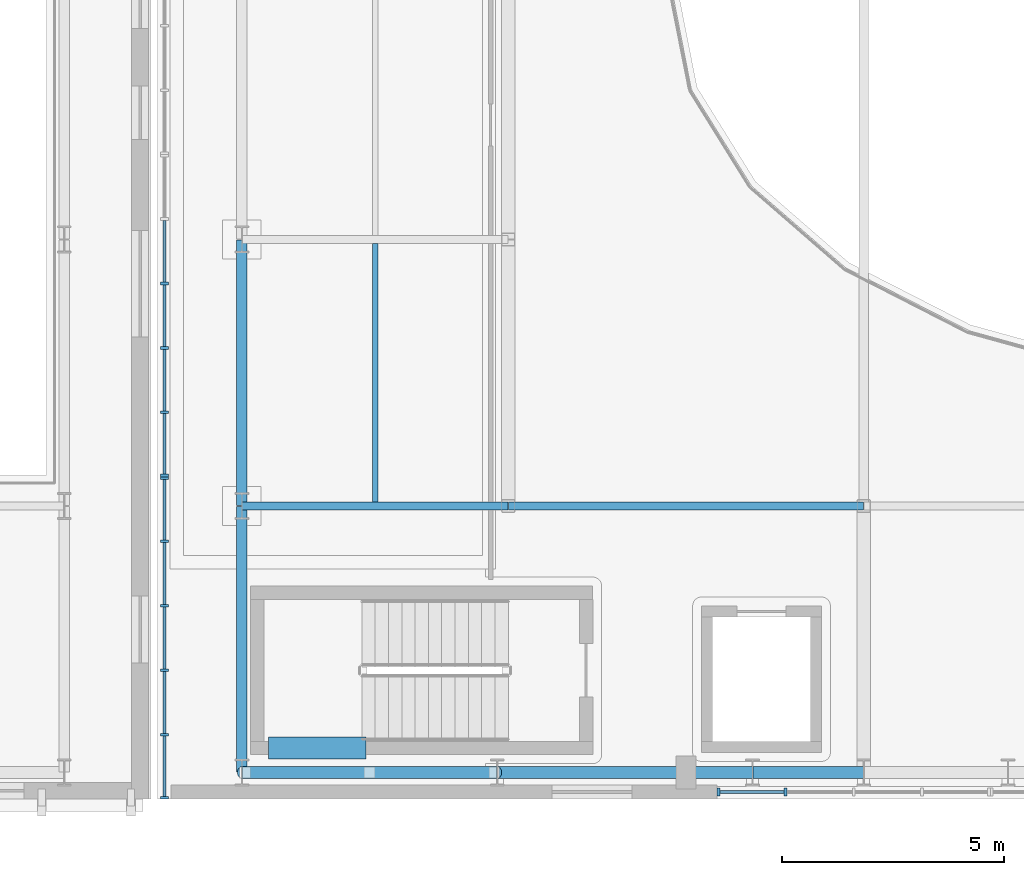
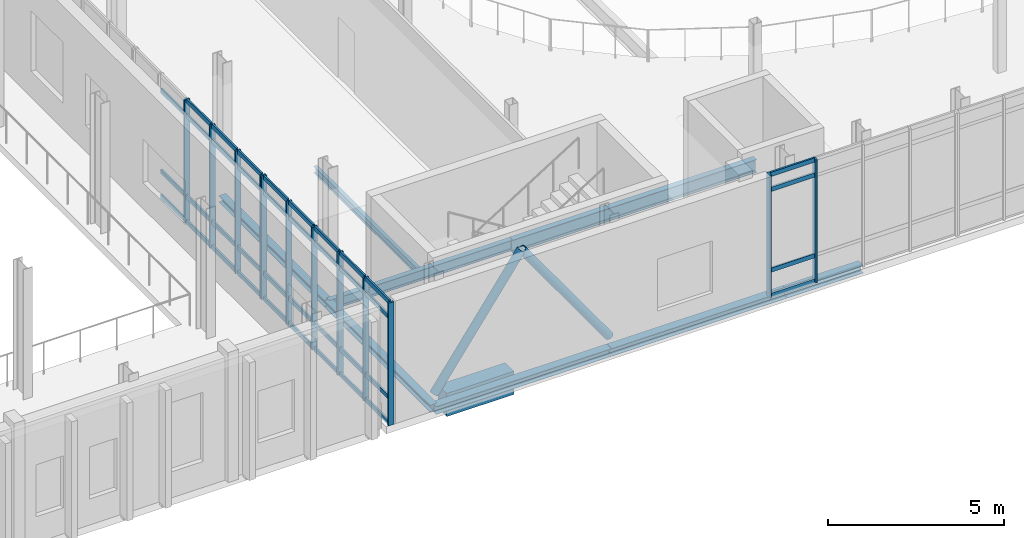
# One storey, part 15 of 100: 53 members, 9 beams, 3 elements without a shape of their own.
"""IFC4 building model written with IfcOpenShell, lengths in metres."""

from ifc_helpers import new_model, si_unit, direction, frame, origin, origin_2d, place, context, subcontext, project, spatial, rectangle, hollow_circle, i_section, extrude, material, material_profile, profile_set, type_object, element, aggregate, save


model = new_model("IFC4")

# Units and contexts
model_context = context("Model", 3, precision=1e-05, world=origin(), true_north=direction((0.0, 1.0)))
body_context = subcontext(model_context, "Body", "Model", "MODEL_VIEW")
ifc_project = project(units=[si_unit("LENGTHUNIT", "METRE"), si_unit("AREAUNIT", "SQUARE_METRE"), si_unit("VOLUMEUNIT", "CUBIC_METRE"), si_unit("PLANEANGLEUNIT", "RADIAN"), si_unit("MASSUNIT", "GRAM", prefix="KILO")], contexts=[model_context])

# Site, building, storey
site_placement = place(None, origin())
site = spatial("IfcSite", under=ifc_project, at=site_placement, CompositionType="ELEMENT")
building_placement = place(site_placement, origin())
building = spatial("IfcBuilding", under=site, at=building_placement, Name="Cymarion Research Institute", CompositionType="ELEMENT")
storey_placement = place(building_placement, frame((0.0, 0.0, 4.800048828125)))
storey = spatial("IfcBuildingStorey", under=building, at=storey_placement, Name="L01", CompositionType="ELEMENT", Elevation=4.800048828125)

# Beam
ifc_material_1 = material(Name="Concrete C40/50", Category="concrete")
ifc_material_profile_1 = material_profile(ifc_material_1, rectangle(XDim=0.5, YDim=0.800048828125, at=origin_2d()), Name="RC 500x800")
ifc_profile_set_1 = profile_set([ifc_material_profile_1], Name="Concrete C40/50")
beam_type_1 = type_object("IfcBeamType", Name="COUPLING LINTEL LN03 RC 500x800", PredefinedType="LINTEL", material=ifc_profile_set_1)
beam_1_placement = place(storey_placement, frame((57.199951171875, 6.050048828125, -0.670166015625), z_axis=(1.0, 0.0, 0.0), x_axis=(0.0, 1.0, 0.0)))
element("IfcBeam", 1, at=beam_1_placement, inside=storey, type_object=beam_type_1, Name="L01 C3 core coupling lintel LN03", PredefinedType="LINTEL", context=body_context, shape_type="SweptSolid", body=[
    extrude(rectangle(XDim=0.5, YDim=0.800048828125, at=origin_2d()), origin(), (0.0, 0.0, 1.0), 2.199951171875),
])

# Curtain wall, members
ifc_material_2 = material(Name="Anodised aluminium unitised curtain wall with Low-E glazing", Category="aluminium")
curtain_wall_type_1 = type_object("IfcCurtainWallType", Name="UNITISED CURTAIN WALL CW07 6150X4250", PredefinedType="NOTDEFINED", material=ifc_material_2)
curtain_wall_1_placement = place(storey_placement, origin())
curtain_wall_1 = element("IfcCurtainWall", 2, at=curtain_wall_1_placement, inside=storey, type_object=curtain_wall_type_1, Name="L01 V2 unitised curtain wall CW07 #13", PredefinedType="NOTDEFINED")
ifc_material_3 = material(Name="Anodised aluminium framing", Category="aluminium")
ifc_material_profile_2 = material_profile(ifc_material_3, rectangle(XDim=0.06005859375, YDim=0.179931640625, at=origin_2d()), Name="ALU MULLION 60x180")
ifc_profile_set_2 = profile_set([ifc_material_profile_2], Name="Anodised aluminium framing")
member_type_1 = type_object("IfcMemberType", Name="CURTAIN WALL MULLION ML01 60X180", PredefinedType="MULLION", material=ifc_profile_set_2)
member_1_placement = place(storey_placement, frame((67.3310546875, 5.06005859375, 0.0), z_axis=(0.0, 0.0, 1.0), x_axis=(1.0, 0.0, 0.0)))
member_1 = element("IfcMember", 3, at=member_1_placement, type_object=member_type_1, Name="CW07 mullion 1", PredefinedType="MULLION", context=body_context, shape_type="SweptSolid", body=[
    extrude(rectangle(XDim=0.06005859375, YDim=0.179931640625, at=origin_2d()), origin(), (0.0, 0.0, 1.0), 4.25),
])
member_2_placement = place(storey_placement, frame((68.83837890625, 5.06005859375, 0.0), z_axis=(0.0, 0.0, 1.0), x_axis=(1.0, 0.0, 0.0)))
member_2 = element("IfcMember", 4, at=member_2_placement, type_object=member_type_1, Name="CW07 mullion 2", PredefinedType="MULLION", context=body_context, shape_type="SweptSolid", body=[
    extrude(rectangle(XDim=0.06005859375, YDim=0.179931640625, at=origin_2d()), origin(), (0.0, 0.0, 1.0), 4.25),
])

curtain_wall_type_2 = type_object("IfcCurtainWallType", Name="UNITISED CURTAIN WALL CW14 7260X4250", PredefinedType="NOTDEFINED", material=ifc_material_2)
curtain_wall_2_placement = place(storey_placement, origin())
curtain_wall_2 = element("IfcCurtainWall", 5, at=curtain_wall_2_placement, inside=storey, type_object=curtain_wall_type_2, Name="L01 V2 unitised curtain wall CW14 #32", PredefinedType="NOTDEFINED")
member_3_placement = place(storey_placement, frame((54.860107421875, 16.509521484375, 0.0), z_axis=(0.0, 0.0, 1.0), x_axis=(0.0, -1.0, 0.0)))
member_3 = element("IfcMember", 6, at=member_3_placement, type_object=member_type_1, Name="CW14 mullion 3", PredefinedType="MULLION", context=body_context, shape_type="SweptSolid", body=[
    extrude(rectangle(XDim=0.06005859375, YDim=0.179931640625, at=origin_2d()), origin(), (0.0, 0.0, 1.0), 4.25),
])
member_4_placement = place(storey_placement, frame((54.860107421875, 15.058349609375, 0.0), z_axis=(0.0, 0.0, 1.0), x_axis=(0.0, -1.0, 0.0)))
member_4 = element("IfcMember", 7, at=member_4_placement, type_object=member_type_1, Name="CW14 mullion 4", PredefinedType="MULLION", context=body_context, shape_type="SweptSolid", body=[
    extrude(rectangle(XDim=0.06005859375, YDim=0.179931640625, at=origin_2d()), origin(), (0.0, 0.0, 1.0), 4.25),
])
member_5_placement = place(storey_placement, frame((54.860107421875, 13.607177734375, 0.0), z_axis=(0.0, 0.0, 1.0), x_axis=(0.0, -1.0, 0.0)))
member_5 = element("IfcMember", 8, at=member_5_placement, type_object=member_type_1, Name="CW14 mullion 5", PredefinedType="MULLION", context=body_context, shape_type="SweptSolid", body=[
    extrude(rectangle(XDim=0.06005859375, YDim=0.179931640625, at=origin_2d()), origin(), (0.0, 0.0, 1.0), 4.25),
])
member_6_placement = place(storey_placement, frame((54.860107421875, 12.18603515625, 0.0), z_axis=(0.0, 0.0, 1.0), x_axis=(0.0, -1.0, 0.0)))
member_6 = element("IfcMember", 9, at=member_6_placement, type_object=member_type_1, Name="CW14 mullion 6", PredefinedType="MULLION", context=body_context, shape_type="SweptSolid", body=[
    extrude(rectangle(XDim=0.06005859375, YDim=0.179931640625, at=origin_2d()), origin(), (0.0, 0.0, 1.0), 4.25),
])

curtain_wall_3_placement = place(storey_placement, origin())
curtain_wall_3 = element("IfcCurtainWall", 10, at=curtain_wall_3_placement, inside=storey, type_object=curtain_wall_type_2, Name="L01 V2 unitised curtain wall CW14 #33", PredefinedType="NOTDEFINED")
member_7_placement = place(storey_placement, frame((54.860107421875, 12.1259765625, 0.0), z_axis=(0.0, 0.0, 1.0), x_axis=(0.0, -1.0, 0.0)))
member_7 = element("IfcMember", 11, at=member_7_placement, type_object=member_type_1, Name="CW14 mullion 1", PredefinedType="MULLION", context=body_context, shape_type="SweptSolid", body=[
    extrude(rectangle(XDim=0.06005859375, YDim=0.179931640625, at=origin_2d()), origin(), (0.0, 0.0, 1.0), 4.25),
])
member_8_placement = place(storey_placement, frame((54.860107421875, 10.704833984375, 0.0), z_axis=(0.0, 0.0, 1.0), x_axis=(0.0, -1.0, 0.0)))
member_8 = element("IfcMember", 12, at=member_8_placement, type_object=member_type_1, Name="CW14 mullion 2", PredefinedType="MULLION", context=body_context, shape_type="SweptSolid", body=[
    extrude(rectangle(XDim=0.06005859375, YDim=0.179931640625, at=origin_2d()), origin(), (0.0, 0.0, 1.0), 4.25),
])
member_9_placement = place(storey_placement, frame((54.860107421875, 9.253662109375, 0.0), z_axis=(0.0, 0.0, 1.0), x_axis=(0.0, -1.0, 0.0)))
member_9 = element("IfcMember", 13, at=member_9_placement, type_object=member_type_1, Name="CW14 mullion 3", PredefinedType="MULLION", context=body_context, shape_type="SweptSolid", body=[
    extrude(rectangle(XDim=0.06005859375, YDim=0.179931640625, at=origin_2d()), origin(), (0.0, 0.0, 1.0), 4.25),
])
member_10_placement = place(storey_placement, frame((54.860107421875, 7.802490234375, 0.0), z_axis=(0.0, 0.0, 1.0), x_axis=(0.0, -1.0, 0.0)))
member_10 = element("IfcMember", 14, at=member_10_placement, type_object=member_type_1, Name="CW14 mullion 4", PredefinedType="MULLION", context=body_context, shape_type="SweptSolid", body=[
    extrude(rectangle(XDim=0.06005859375, YDim=0.179931640625, at=origin_2d()), origin(), (0.0, 0.0, 1.0), 4.25),
])
member_11_placement = place(storey_placement, frame((54.860107421875, 6.351318359375, 0.0), z_axis=(0.0, 0.0, 1.0), x_axis=(0.0, -1.0, 0.0)))
member_11 = element("IfcMember", 15, at=member_11_placement, type_object=member_type_1, Name="CW14 mullion 5", PredefinedType="MULLION", context=body_context, shape_type="SweptSolid", body=[
    extrude(rectangle(XDim=0.06005859375, YDim=0.179931640625, at=origin_2d()), origin(), (0.0, 0.0, 1.0), 4.25),
])
member_12_placement = place(storey_placement, frame((54.860107421875, 4.929931640625, 0.0), z_axis=(0.0, 0.0, 1.0), x_axis=(0.0, -1.0, 0.0)))
member_12 = element("IfcMember", 16, at=member_12_placement, type_object=member_type_1, Name="CW14 mullion 6", PredefinedType="MULLION", context=body_context, shape_type="SweptSolid", body=[
    extrude(rectangle(XDim=0.06005859375, YDim=0.179931640625, at=origin_2d()), origin(), (0.0, 0.0, 1.0), 4.25),
])

# Member
ifc_material_profile_3 = material_profile(ifc_material_3, rectangle(XDim=0.06005859375, YDim=0.14990234375, at=origin_2d()), Name="ALU TRANSOM 60x150")
ifc_profile_set_3 = profile_set([ifc_material_profile_3], Name="Anodised aluminium framing")
member_type_2 = type_object("IfcMemberType", Name="CURTAIN WALL TRANSOM TR01 60X150", PredefinedType="USERDEFINED", material=ifc_profile_set_3)
member_13_placement = place(storey_placement, frame((67.361083984375, 5.06005859375, 0.030029296875), z_axis=(1.0, 0.0, 0.0), x_axis=(0.0, 1.0, 0.0)))
member_13 = element("IfcMember", 17, at=member_13_placement, type_object=member_type_2, Name="CW07 transom 1.1", ObjectType="TRANSOM", PredefinedType="USERDEFINED", context=body_context, shape_type="SweptSolid", body=[
    extrude(rectangle(XDim=0.06005859375, YDim=0.14990234375, at=origin_2d()), origin(), (0.0, 0.0, 1.0), 1.447265625),
])

member_14_placement = place(storey_placement, frame((67.361083984375, 5.06005859375, 0.89990234375), z_axis=(1.0, 0.0, 0.0), x_axis=(0.0, 1.0, 0.0)))
member_14 = element("IfcMember", 18, at=member_14_placement, type_object=member_type_2, Name="CW07 transom 1.2", ObjectType="TRANSOM", PredefinedType="USERDEFINED", context=body_context, shape_type="SweptSolid", body=[
    extrude(rectangle(XDim=0.06005859375, YDim=0.14990234375, at=origin_2d()), origin(), (0.0, 0.0, 1.0), 1.447265625),
])

member_15_placement = place(storey_placement, frame((67.361083984375, 5.06005859375, 3.699951171875), z_axis=(1.0, 0.0, 0.0), x_axis=(0.0, 1.0, 0.0)))
member_15 = element("IfcMember", 19, at=member_15_placement, type_object=member_type_2, Name="CW07 transom 1.3", ObjectType="TRANSOM", PredefinedType="USERDEFINED", context=body_context, shape_type="SweptSolid", body=[
    extrude(rectangle(XDim=0.06005859375, YDim=0.14990234375, at=origin_2d()), origin(), (0.0, 0.0, 1.0), 1.447265625),
])

member_16_placement = place(storey_placement, frame((67.361083984375, 5.06005859375, 4.219970703125), z_axis=(1.0, 0.0, 0.0), x_axis=(0.0, 1.0, 0.0)))
member_16 = element("IfcMember", 20, at=member_16_placement, type_object=member_type_2, Name="CW07 transom 1.4", ObjectType="TRANSOM", PredefinedType="USERDEFINED", context=body_context, shape_type="SweptSolid", body=[
    extrude(rectangle(XDim=0.06005859375, YDim=0.14990234375, at=origin_2d()), origin(), (0.0, 0.0, 1.0), 1.447265625),
])

aggregate(curtain_wall_1, [member_1, member_2, member_13, member_14, member_15, member_16])

member_17_placement = place(storey_placement, frame((54.860107421875, 17.930908203125, 0.030029296875), z_axis=(0.0, -1.0, 0.0), x_axis=(1.0, 0.0, 0.0)))
member_17 = element("IfcMember", 21, at=member_17_placement, type_object=member_type_2, Name="CW14 transom 2.1", ObjectType="TRANSOM", PredefinedType="USERDEFINED", context=body_context, shape_type="SweptSolid", body=[
    extrude(rectangle(XDim=0.06005859375, YDim=0.14990234375, at=origin_2d()), origin(), (0.0, 0.0, 1.0), 1.391357421875),
])

member_18_placement = place(storey_placement, frame((54.860107421875, 17.930908203125, 0.89990234375), z_axis=(0.0, -1.0, 0.0), x_axis=(1.0, 0.0, 0.0)))
member_18 = element("IfcMember", 22, at=member_18_placement, type_object=member_type_2, Name="CW14 transom 2.2", ObjectType="TRANSOM", PredefinedType="USERDEFINED", context=body_context, shape_type="SweptSolid", body=[
    extrude(rectangle(XDim=0.06005859375, YDim=0.14990234375, at=origin_2d()), origin(), (0.0, 0.0, 1.0), 1.391357421875),
])

member_19_placement = place(storey_placement, frame((54.860107421875, 17.930908203125, 3.699951171875), z_axis=(0.0, -1.0, 0.0), x_axis=(1.0, 0.0, 0.0)))
member_19 = element("IfcMember", 23, at=member_19_placement, type_object=member_type_2, Name="CW14 transom 2.3", ObjectType="TRANSOM", PredefinedType="USERDEFINED", context=body_context, shape_type="SweptSolid", body=[
    extrude(rectangle(XDim=0.06005859375, YDim=0.14990234375, at=origin_2d()), origin(), (0.0, 0.0, 1.0), 1.391357421875),
])

member_20_placement = place(storey_placement, frame((54.860107421875, 16.4794921875, 0.030029296875), z_axis=(0.0, -1.0, 0.0), x_axis=(1.0, 0.0, 0.0)))
member_20 = element("IfcMember", 24, at=member_20_placement, type_object=member_type_2, Name="CW14 transom 3.1", ObjectType="TRANSOM", PredefinedType="USERDEFINED", context=body_context, shape_type="SweptSolid", body=[
    extrude(rectangle(XDim=0.06005859375, YDim=0.14990234375, at=origin_2d()), origin(), (0.0, 0.0, 1.0), 1.39111328125),
])

member_21_placement = place(storey_placement, frame((54.860107421875, 16.4794921875, 0.89990234375), z_axis=(0.0, -1.0, 0.0), x_axis=(1.0, 0.0, 0.0)))
member_21 = element("IfcMember", 25, at=member_21_placement, type_object=member_type_2, Name="CW14 transom 3.2", ObjectType="TRANSOM", PredefinedType="USERDEFINED", context=body_context, shape_type="SweptSolid", body=[
    extrude(rectangle(XDim=0.06005859375, YDim=0.14990234375, at=origin_2d()), origin(), (0.0, 0.0, 1.0), 1.39111328125),
])

member_22_placement = place(storey_placement, frame((54.860107421875, 16.4794921875, 3.699951171875), z_axis=(0.0, -1.0, 0.0), x_axis=(1.0, 0.0, 0.0)))
member_22 = element("IfcMember", 26, at=member_22_placement, type_object=member_type_2, Name="CW14 transom 3.3", ObjectType="TRANSOM", PredefinedType="USERDEFINED", context=body_context, shape_type="SweptSolid", body=[
    extrude(rectangle(XDim=0.06005859375, YDim=0.14990234375, at=origin_2d()), origin(), (0.0, 0.0, 1.0), 1.39111328125),
])

member_23_placement = place(storey_placement, frame((54.860107421875, 16.4794921875, 4.219970703125), z_axis=(0.0, -1.0, 0.0), x_axis=(1.0, 0.0, 0.0)))
member_23 = element("IfcMember", 27, at=member_23_placement, type_object=member_type_2, Name="CW14 transom 3.4", ObjectType="TRANSOM", PredefinedType="USERDEFINED", context=body_context, shape_type="SweptSolid", body=[
    extrude(rectangle(XDim=0.06005859375, YDim=0.14990234375, at=origin_2d()), origin(), (0.0, 0.0, 1.0), 1.39111328125),
])

member_24_placement = place(storey_placement, frame((54.860107421875, 15.0283203125, 0.030029296875), z_axis=(0.0, -1.0, 0.0), x_axis=(1.0, 0.0, 0.0)))
member_24 = element("IfcMember", 28, at=member_24_placement, type_object=member_type_2, Name="CW14 transom 4.1", ObjectType="TRANSOM", PredefinedType="USERDEFINED", context=body_context, shape_type="SweptSolid", body=[
    extrude(rectangle(XDim=0.06005859375, YDim=0.14990234375, at=origin_2d()), origin(), (0.0, 0.0, 1.0), 1.39111328125),
])

member_25_placement = place(storey_placement, frame((54.860107421875, 15.0283203125, 0.89990234375), z_axis=(0.0, -1.0, 0.0), x_axis=(1.0, 0.0, 0.0)))
member_25 = element("IfcMember", 29, at=member_25_placement, type_object=member_type_2, Name="CW14 transom 4.2", ObjectType="TRANSOM", PredefinedType="USERDEFINED", context=body_context, shape_type="SweptSolid", body=[
    extrude(rectangle(XDim=0.06005859375, YDim=0.14990234375, at=origin_2d()), origin(), (0.0, 0.0, 1.0), 1.39111328125),
])

member_26_placement = place(storey_placement, frame((54.860107421875, 15.0283203125, 3.699951171875), z_axis=(0.0, -1.0, 0.0), x_axis=(1.0, 0.0, 0.0)))
member_26 = element("IfcMember", 30, at=member_26_placement, type_object=member_type_2, Name="CW14 transom 4.3", ObjectType="TRANSOM", PredefinedType="USERDEFINED", context=body_context, shape_type="SweptSolid", body=[
    extrude(rectangle(XDim=0.06005859375, YDim=0.14990234375, at=origin_2d()), origin(), (0.0, 0.0, 1.0), 1.39111328125),
])

member_27_placement = place(storey_placement, frame((54.860107421875, 15.0283203125, 4.219970703125), z_axis=(0.0, -1.0, 0.0), x_axis=(1.0, 0.0, 0.0)))
member_27 = element("IfcMember", 31, at=member_27_placement, type_object=member_type_2, Name="CW14 transom 4.4", ObjectType="TRANSOM", PredefinedType="USERDEFINED", context=body_context, shape_type="SweptSolid", body=[
    extrude(rectangle(XDim=0.06005859375, YDim=0.14990234375, at=origin_2d()), origin(), (0.0, 0.0, 1.0), 1.39111328125),
])

member_28_placement = place(storey_placement, frame((54.860107421875, 13.5771484375, 0.030029296875), z_axis=(0.0, -1.0, 0.0), x_axis=(1.0, 0.0, 0.0)))
member_28 = element("IfcMember", 32, at=member_28_placement, type_object=member_type_2, Name="CW14 transom 5.1", ObjectType="TRANSOM", PredefinedType="USERDEFINED", context=body_context, shape_type="SweptSolid", body=[
    extrude(rectangle(XDim=0.06005859375, YDim=0.14990234375, at=origin_2d()), origin(), (0.0, 0.0, 1.0), 1.361083984375),
])

member_29_placement = place(storey_placement, frame((54.860107421875, 13.5771484375, 0.89990234375), z_axis=(0.0, -1.0, 0.0), x_axis=(1.0, 0.0, 0.0)))
member_29 = element("IfcMember", 33, at=member_29_placement, type_object=member_type_2, Name="CW14 transom 5.2", ObjectType="TRANSOM", PredefinedType="USERDEFINED", context=body_context, shape_type="SweptSolid", body=[
    extrude(rectangle(XDim=0.06005859375, YDim=0.14990234375, at=origin_2d()), origin(), (0.0, 0.0, 1.0), 1.361083984375),
])

member_30_placement = place(storey_placement, frame((54.860107421875, 13.5771484375, 3.699951171875), z_axis=(0.0, -1.0, 0.0), x_axis=(1.0, 0.0, 0.0)))
member_30 = element("IfcMember", 34, at=member_30_placement, type_object=member_type_2, Name="CW14 transom 5.3", ObjectType="TRANSOM", PredefinedType="USERDEFINED", context=body_context, shape_type="SweptSolid", body=[
    extrude(rectangle(XDim=0.06005859375, YDim=0.14990234375, at=origin_2d()), origin(), (0.0, 0.0, 1.0), 1.361083984375),
])

member_31_placement = place(storey_placement, frame((54.860107421875, 13.5771484375, 4.219970703125), z_axis=(0.0, -1.0, 0.0), x_axis=(1.0, 0.0, 0.0)))
member_31 = element("IfcMember", 35, at=member_31_placement, type_object=member_type_2, Name="CW14 transom 5.4", ObjectType="TRANSOM", PredefinedType="USERDEFINED", context=body_context, shape_type="SweptSolid", body=[
    extrude(rectangle(XDim=0.06005859375, YDim=0.14990234375, at=origin_2d()), origin(), (0.0, 0.0, 1.0), 1.361083984375),
])

aggregate(curtain_wall_2, [member_3, member_4, member_5, member_6, member_17, member_18, member_19, member_20, member_21, member_22, member_23, member_24, member_25, member_26, member_27, member_28, member_29, member_30, member_31])

member_32_placement = place(storey_placement, frame((54.860107421875, 12.095947265625, 0.030029296875), z_axis=(0.0, -1.0, 0.0), x_axis=(1.0, 0.0, 0.0)))
member_32 = element("IfcMember", 36, at=member_32_placement, type_object=member_type_2, Name="CW14 transom 1.1", ObjectType="TRANSOM", PredefinedType="USERDEFINED", context=body_context, shape_type="SweptSolid", body=[
    extrude(rectangle(XDim=0.06005859375, YDim=0.14990234375, at=origin_2d()), origin(), (0.0, 0.0, 1.0), 1.361083984375),
])

member_33_placement = place(storey_placement, frame((54.860107421875, 12.095947265625, 0.89990234375), z_axis=(0.0, -1.0, 0.0), x_axis=(1.0, 0.0, 0.0)))
member_33 = element("IfcMember", 37, at=member_33_placement, type_object=member_type_2, Name="CW14 transom 1.2", ObjectType="TRANSOM", PredefinedType="USERDEFINED", context=body_context, shape_type="SweptSolid", body=[
    extrude(rectangle(XDim=0.06005859375, YDim=0.14990234375, at=origin_2d()), origin(), (0.0, 0.0, 1.0), 1.361083984375),
])

member_34_placement = place(storey_placement, frame((54.860107421875, 12.095947265625, 3.699951171875), z_axis=(0.0, -1.0, 0.0), x_axis=(1.0, 0.0, 0.0)))
member_34 = element("IfcMember", 38, at=member_34_placement, type_object=member_type_2, Name="CW14 transom 1.3", ObjectType="TRANSOM", PredefinedType="USERDEFINED", context=body_context, shape_type="SweptSolid", body=[
    extrude(rectangle(XDim=0.06005859375, YDim=0.14990234375, at=origin_2d()), origin(), (0.0, 0.0, 1.0), 1.361083984375),
])

member_35_placement = place(storey_placement, frame((54.860107421875, 12.095947265625, 4.219970703125), z_axis=(0.0, -1.0, 0.0), x_axis=(1.0, 0.0, 0.0)))
member_35 = element("IfcMember", 39, at=member_35_placement, type_object=member_type_2, Name="CW14 transom 1.4", ObjectType="TRANSOM", PredefinedType="USERDEFINED", context=body_context, shape_type="SweptSolid", body=[
    extrude(rectangle(XDim=0.06005859375, YDim=0.14990234375, at=origin_2d()), origin(), (0.0, 0.0, 1.0), 1.361083984375),
])

member_36_placement = place(storey_placement, frame((54.860107421875, 10.6748046875, 0.030029296875), z_axis=(0.0, -1.0, 0.0), x_axis=(1.0, 0.0, 0.0)))
member_36 = element("IfcMember", 40, at=member_36_placement, type_object=member_type_2, Name="CW14 transom 2.1", ObjectType="TRANSOM", PredefinedType="USERDEFINED", context=body_context, shape_type="SweptSolid", body=[
    extrude(rectangle(XDim=0.06005859375, YDim=0.14990234375, at=origin_2d()), origin(), (0.0, 0.0, 1.0), 1.39111328125),
])

member_37_placement = place(storey_placement, frame((54.860107421875, 10.6748046875, 0.89990234375), z_axis=(0.0, -1.0, 0.0), x_axis=(1.0, 0.0, 0.0)))
member_37 = element("IfcMember", 41, at=member_37_placement, type_object=member_type_2, Name="CW14 transom 2.2", ObjectType="TRANSOM", PredefinedType="USERDEFINED", context=body_context, shape_type="SweptSolid", body=[
    extrude(rectangle(XDim=0.06005859375, YDim=0.14990234375, at=origin_2d()), origin(), (0.0, 0.0, 1.0), 1.39111328125),
])

member_38_placement = place(storey_placement, frame((54.860107421875, 10.6748046875, 3.699951171875), z_axis=(0.0, -1.0, 0.0), x_axis=(1.0, 0.0, 0.0)))
member_38 = element("IfcMember", 42, at=member_38_placement, type_object=member_type_2, Name="CW14 transom 2.3", ObjectType="TRANSOM", PredefinedType="USERDEFINED", context=body_context, shape_type="SweptSolid", body=[
    extrude(rectangle(XDim=0.06005859375, YDim=0.14990234375, at=origin_2d()), origin(), (0.0, 0.0, 1.0), 1.39111328125),
])

member_39_placement = place(storey_placement, frame((54.860107421875, 10.6748046875, 4.219970703125), z_axis=(0.0, -1.0, 0.0), x_axis=(1.0, 0.0, 0.0)))
member_39 = element("IfcMember", 43, at=member_39_placement, type_object=member_type_2, Name="CW14 transom 2.4", ObjectType="TRANSOM", PredefinedType="USERDEFINED", context=body_context, shape_type="SweptSolid", body=[
    extrude(rectangle(XDim=0.06005859375, YDim=0.14990234375, at=origin_2d()), origin(), (0.0, 0.0, 1.0), 1.39111328125),
])

member_40_placement = place(storey_placement, frame((54.860107421875, 9.2236328125, 0.030029296875), z_axis=(0.0, -1.0, 0.0), x_axis=(1.0, 0.0, 0.0)))
member_40 = element("IfcMember", 44, at=member_40_placement, type_object=member_type_2, Name="CW14 transom 3.1", ObjectType="TRANSOM", PredefinedType="USERDEFINED", context=body_context, shape_type="SweptSolid", body=[
    extrude(rectangle(XDim=0.06005859375, YDim=0.14990234375, at=origin_2d()), origin(), (0.0, 0.0, 1.0), 1.39111328125),
])

member_41_placement = place(storey_placement, frame((54.860107421875, 9.2236328125, 0.89990234375), z_axis=(0.0, -1.0, 0.0), x_axis=(1.0, 0.0, 0.0)))
member_41 = element("IfcMember", 45, at=member_41_placement, type_object=member_type_2, Name="CW14 transom 3.2", ObjectType="TRANSOM", PredefinedType="USERDEFINED", context=body_context, shape_type="SweptSolid", body=[
    extrude(rectangle(XDim=0.06005859375, YDim=0.14990234375, at=origin_2d()), origin(), (0.0, 0.0, 1.0), 1.39111328125),
])

member_42_placement = place(storey_placement, frame((54.860107421875, 9.2236328125, 3.699951171875), z_axis=(0.0, -1.0, 0.0), x_axis=(1.0, 0.0, 0.0)))
member_42 = element("IfcMember", 46, at=member_42_placement, type_object=member_type_2, Name="CW14 transom 3.3", ObjectType="TRANSOM", PredefinedType="USERDEFINED", context=body_context, shape_type="SweptSolid", body=[
    extrude(rectangle(XDim=0.06005859375, YDim=0.14990234375, at=origin_2d()), origin(), (0.0, 0.0, 1.0), 1.39111328125),
])

member_43_placement = place(storey_placement, frame((54.860107421875, 9.2236328125, 4.219970703125), z_axis=(0.0, -1.0, 0.0), x_axis=(1.0, 0.0, 0.0)))
member_43 = element("IfcMember", 47, at=member_43_placement, type_object=member_type_2, Name="CW14 transom 3.4", ObjectType="TRANSOM", PredefinedType="USERDEFINED", context=body_context, shape_type="SweptSolid", body=[
    extrude(rectangle(XDim=0.06005859375, YDim=0.14990234375, at=origin_2d()), origin(), (0.0, 0.0, 1.0), 1.39111328125),
])

member_44_placement = place(storey_placement, frame((54.860107421875, 7.7724609375, 0.030029296875), z_axis=(0.0, -1.0, 0.0), x_axis=(1.0, 0.0, 0.0)))
member_44 = element("IfcMember", 48, at=member_44_placement, type_object=member_type_2, Name="CW14 transom 4.1", ObjectType="TRANSOM", PredefinedType="USERDEFINED", context=body_context, shape_type="SweptSolid", body=[
    extrude(rectangle(XDim=0.06005859375, YDim=0.14990234375, at=origin_2d()), origin(), (0.0, 0.0, 1.0), 1.391357421875),
])

member_45_placement = place(storey_placement, frame((54.860107421875, 7.7724609375, 0.89990234375), z_axis=(0.0, -1.0, 0.0), x_axis=(1.0, 0.0, 0.0)))
member_45 = element("IfcMember", 49, at=member_45_placement, type_object=member_type_2, Name="CW14 transom 4.2", ObjectType="TRANSOM", PredefinedType="USERDEFINED", context=body_context, shape_type="SweptSolid", body=[
    extrude(rectangle(XDim=0.06005859375, YDim=0.14990234375, at=origin_2d()), origin(), (0.0, 0.0, 1.0), 1.391357421875),
])

member_46_placement = place(storey_placement, frame((54.860107421875, 7.7724609375, 3.699951171875), z_axis=(0.0, -1.0, 0.0), x_axis=(1.0, 0.0, 0.0)))
member_46 = element("IfcMember", 50, at=member_46_placement, type_object=member_type_2, Name="CW14 transom 4.3", ObjectType="TRANSOM", PredefinedType="USERDEFINED", context=body_context, shape_type="SweptSolid", body=[
    extrude(rectangle(XDim=0.06005859375, YDim=0.14990234375, at=origin_2d()), origin(), (0.0, 0.0, 1.0), 1.391357421875),
])

member_47_placement = place(storey_placement, frame((54.860107421875, 7.7724609375, 4.219970703125), z_axis=(0.0, -1.0, 0.0), x_axis=(1.0, 0.0, 0.0)))
member_47 = element("IfcMember", 51, at=member_47_placement, type_object=member_type_2, Name="CW14 transom 4.4", ObjectType="TRANSOM", PredefinedType="USERDEFINED", context=body_context, shape_type="SweptSolid", body=[
    extrude(rectangle(XDim=0.06005859375, YDim=0.14990234375, at=origin_2d()), origin(), (0.0, 0.0, 1.0), 1.391357421875),
])

member_48_placement = place(storey_placement, frame((54.860107421875, 6.3212890625, 0.030029296875), z_axis=(0.0, -1.0, 0.0), x_axis=(1.0, 0.0, 0.0)))
member_48 = element("IfcMember", 52, at=member_48_placement, type_object=member_type_2, Name="CW14 transom 5.1", ObjectType="TRANSOM", PredefinedType="USERDEFINED", context=body_context, shape_type="SweptSolid", body=[
    extrude(rectangle(XDim=0.06005859375, YDim=0.14990234375, at=origin_2d()), origin(), (0.0, 0.0, 1.0), 1.361328125),
])

member_49_placement = place(storey_placement, frame((54.860107421875, 6.3212890625, 0.89990234375), z_axis=(0.0, -1.0, 0.0), x_axis=(1.0, 0.0, 0.0)))
member_49 = element("IfcMember", 53, at=member_49_placement, type_object=member_type_2, Name="CW14 transom 5.2", ObjectType="TRANSOM", PredefinedType="USERDEFINED", context=body_context, shape_type="SweptSolid", body=[
    extrude(rectangle(XDim=0.06005859375, YDim=0.14990234375, at=origin_2d()), origin(), (0.0, 0.0, 1.0), 1.361328125),
])

member_50_placement = place(storey_placement, frame((54.860107421875, 6.3212890625, 3.699951171875), z_axis=(0.0, -1.0, 0.0), x_axis=(1.0, 0.0, 0.0)))
member_50 = element("IfcMember", 54, at=member_50_placement, type_object=member_type_2, Name="CW14 transom 5.3", ObjectType="TRANSOM", PredefinedType="USERDEFINED", context=body_context, shape_type="SweptSolid", body=[
    extrude(rectangle(XDim=0.06005859375, YDim=0.14990234375, at=origin_2d()), origin(), (0.0, 0.0, 1.0), 1.361328125),
])

member_51_placement = place(storey_placement, frame((54.860107421875, 6.3212890625, 4.219970703125), z_axis=(0.0, -1.0, 0.0), x_axis=(1.0, 0.0, 0.0)))
member_51 = element("IfcMember", 55, at=member_51_placement, type_object=member_type_2, Name="CW14 transom 5.4", ObjectType="TRANSOM", PredefinedType="USERDEFINED", context=body_context, shape_type="SweptSolid", body=[
    extrude(rectangle(XDim=0.06005859375, YDim=0.14990234375, at=origin_2d()), origin(), (0.0, 0.0, 1.0), 1.361328125),
])

aggregate(curtain_wall_3, [member_7, member_8, member_9, member_10, member_11, member_12, member_32, member_33, member_34, member_35, member_36, member_37, member_38, member_39, member_40, member_41, member_42, member_43, member_44, member_45, member_46, member_47, member_48, member_49, member_50, member_51])

# Beams
ifc_material_4 = material(Name="Steel S355", Category="steel")
ifc_material_profile_4 = material_profile(ifc_material_4, i_section(OverallWidth=0.18994140625, OverallDepth=0.449951171875, WebThickness=0.009521484375, FlangeThickness=0.0146484375, FilletRadius=0.02099609375, at=origin_2d()), Name="IPE 450")
ifc_profile_set_4 = profile_set([ifc_material_profile_4], Name="Steel S355")
beam_type_2 = type_object("IfcBeamType", Name="PRIMARY GIRDER BM04 IPE 450", PredefinedType="BEAM", material=ifc_profile_set_4)
beam_2_placement = place(storey_placement, frame((62.60595703125, 11.5, -0.47509765625), z_axis=(1.0, 0.0, 0.0), x_axis=(0.0, 1.0, 0.0)))
element("IfcBeam", 56, at=beam_2_placement, inside=storey, type_object=beam_type_2, Name="L01 V2 girder BM04 #469", PredefinedType="BEAM", context=body_context, shape_type="SweptSolid", body=[
    extrude(i_section(OverallWidth=0.18994140625, OverallDepth=0.449951171875, WebThickness=0.009521484375, FlangeThickness=0.0146484375, FilletRadius=0.02099609375, at=origin_2d()), origin(), (0.0, 0.0, 1.0), 7.988037109375),
])
ifc_material_profile_5 = material_profile(ifc_material_4, i_section(OverallWidth=0.169921875, OverallDepth=0.360107421875, WebThickness=0.008056640625, FlangeThickness=0.0126953125, FilletRadius=0.01806640625, at=origin_2d()), Name="IPE 360")
ifc_profile_set_5 = profile_set([ifc_material_profile_5], Name="Steel S355")
beam_type_3 = type_object("IfcBeamType", Name="PRIMARY GIRDER BM06 IPE 360", PredefinedType="BEAM", material=ifc_profile_set_5)
beam_3_placement = place(storey_placement, frame((56.60595703125, 11.5, -0.429931640625), z_axis=(1.0, 0.0, 0.0), x_axis=(0.0, 1.0, 0.0)))
element("IfcBeam", 57, at=beam_3_placement, inside=storey, type_object=beam_type_3, Name="L01 V2 girder BM06 #468", PredefinedType="BEAM", context=body_context, shape_type="SweptSolid", body=[
    extrude(i_section(OverallWidth=0.169921875, OverallDepth=0.360107421875, WebThickness=0.008056640625, FlangeThickness=0.0126953125, FilletRadius=0.01806640625, at=origin_2d()), origin(), (0.0, 0.0, 1.0), 5.988037109375),
])
ifc_material_profile_6 = material_profile(ifc_material_4, i_section(OverallWidth=0.1201171875, OverallDepth=0.239990234375, WebThickness=0.006103515625, FlangeThickness=0.009765625, FilletRadius=0.014892578125, at=origin_2d()), Name="IPE 240")
ifc_profile_set_6 = profile_set([ifc_material_profile_6], Name="Steel S355")
beam_type_4 = type_object("IfcBeamType", Name="SECONDARY JOIST JS04 IPE 240", PredefinedType="JOIST", material=ifc_profile_set_6)
beam_4_placement = place(storey_placement, frame((59.60009765625, 11.589111328125, -0.3701171875), z_axis=(0.0, 1.0, 0.0), x_axis=(-1.0, 0.0, 0.0)))
element("IfcBeam", 58, at=beam_4_placement, inside=storey, type_object=beam_type_4, Name="L01 V2 secondary joist JS04 #523", PredefinedType="JOIST", context=body_context, shape_type="SweptSolid", body=[
    extrude(i_section(OverallWidth=0.1201171875, OverallDepth=0.239990234375, WebThickness=0.006103515625, FlangeThickness=0.009765625, FilletRadius=0.014892578125, at=origin_2d()), origin(), (0.0, 0.0, 1.0), 5.82177734375),
])
ifc_material_profile_7 = material_profile(ifc_material_4, i_section(OverallWidth=0.280029296875, OverallDepth=0.27001953125, WebThickness=0.008056640625, FlangeThickness=0.012939453125, FilletRadius=0.02392578125, at=origin_2d()), Name="HEA 280")
ifc_profile_set_7 = profile_set([ifc_material_profile_7], Name="Steel S355")
beam_type_5 = type_object("IfcBeamType", Name="SPANDREL BEAM SPB02 HEA 280", PredefinedType="SPANDREL", material=ifc_profile_set_7)
for number, where, z_axis, x_axis, name in (
    (59, (56.60595703125, 5.5, -0.385009765625), (1.0, 0.0, 0.0), (0.0, 1.0, 0.0), "L01 V2 girder SPB02 #458"),
    (60, (62.35595703125, 5.5, -0.385009765625), (1.0, 0.0, 0.0), (0.0, 1.0, 0.0), "L01 V2 girder SPB02 #459"),
):
    element("IfcBeam", number, at=place(storey_placement, frame(where, z_axis=z_axis, x_axis=x_axis)), inside=storey, type_object=beam_type_5, Name=name, PredefinedType="SPANDREL", context=body_context, shape_type="SweptSolid", body=[
        extrude(i_section(OverallWidth=0.280029296875, OverallDepth=0.27001953125, WebThickness=0.008056640625, FlangeThickness=0.012939453125, FilletRadius=0.02392578125, at=origin_2d()), origin(), (0.0, 0.0, 1.0), 5.738037109375),
    ])
beam_5_placement = place(storey_placement, frame((68.10595703125, 5.5, -0.385009765625), z_axis=(1.0, 0.0, 0.0), x_axis=(0.0, 1.0, 0.0)))
element("IfcBeam", 61, at=beam_5_placement, inside=storey, type_object=beam_type_5, Name="L01 V2 girder SPB02 #460", PredefinedType="SPANDREL", context=body_context, shape_type="SweptSolid", body=[
    extrude(i_section(OverallWidth=0.280029296875, OverallDepth=0.27001953125, WebThickness=0.008056640625, FlangeThickness=0.012939453125, FilletRadius=0.02392578125, at=origin_2d()), origin(), (0.0, 0.0, 1.0), 2.488037109375),
])
ifc_material_profile_8 = material_profile(ifc_material_4, i_section(OverallWidth=0.239990234375, OverallDepth=0.22998046875, WebThickness=0.007568359375, FlangeThickness=0.011962890625, FilletRadius=0.02099609375, at=origin_2d()), Name="HEA 240")
ifc_profile_set_8 = profile_set([ifc_material_profile_8], Name="Steel S355")
beam_type_6 = type_object("IfcBeamType", Name="SPANDREL BEAM SPB03 HEA 240", PredefinedType="SPANDREL", material=ifc_profile_set_8)
for number, where, z_axis, x_axis, name in (
    (62, (56.60009765625, 5.506103515625, -0.364990234375), (0.0, 1.0, 0.0), (-1.0, 0.0, 0.0), "L01 V2 girder SPB03 #496"),
    (63, (56.60009765625, 11.506103515625, -0.364990234375), (0.0, 1.0, 0.0), (-1.0, 0.0, 0.0), "L01 V2 girder SPB03 #497"),
):
    element("IfcBeam", number, at=place(storey_placement, frame(where, z_axis=z_axis, x_axis=x_axis)), inside=storey, type_object=beam_type_6, Name=name, PredefinedType="SPANDREL", context=body_context, shape_type="SweptSolid", body=[
        extrude(i_section(OverallWidth=0.239990234375, OverallDepth=0.22998046875, WebThickness=0.007568359375, FlangeThickness=0.011962890625, FilletRadius=0.02099609375, at=origin_2d()), origin(), (0.0, 0.0, 1.0), 5.98779296875),
    ])

# Members
ifc_material_profile_9 = material_profile(ifc_material_4, hollow_circle(Radius=0.136474609375, WallThickness=0.012451171875, at=origin_2d()), Name="CHS 273.0x12.5")
ifc_profile_set_9 = profile_set([ifc_material_profile_9], Name="Steel S355")
member_type_3 = type_object("IfcMemberType", Name="STRUCTURAL MEMBER BR04 CHS 273.0x12.5", PredefinedType="BRACE", material=ifc_profile_set_9)
for number, where, z_axis, x_axis, name in (
    (64, (56.61181640625, 5.5, 0.119873046875), (0.582240089664, 0.0, 0.813016898956), (0.0, 1.0, 0.0), "L01 V2 seismic chevron brace BR04 #1"),
    (65, (62.33837890625, 5.5, 0.119873046875), (-0.582272970895, 0.0, 0.812993350136), (0.0, -1.0, 0.0), "L01 V2 seismic chevron brace BR04 #2"),
):
    element("IfcMember", number, at=place(storey_placement, frame(where, z_axis=z_axis, x_axis=x_axis)), inside=storey, type_object=member_type_3, Name=name, PredefinedType="BRACE", context=body_context, shape_type="SweptSolid", body=[
        extrude(hollow_circle(Radius=0.136474609375, WallThickness=0.012451171875, at=origin_2d()), origin(), (0.0, 0.0, 1.0), 4.90771484375),
    ])

save(model, "model.ifc")
